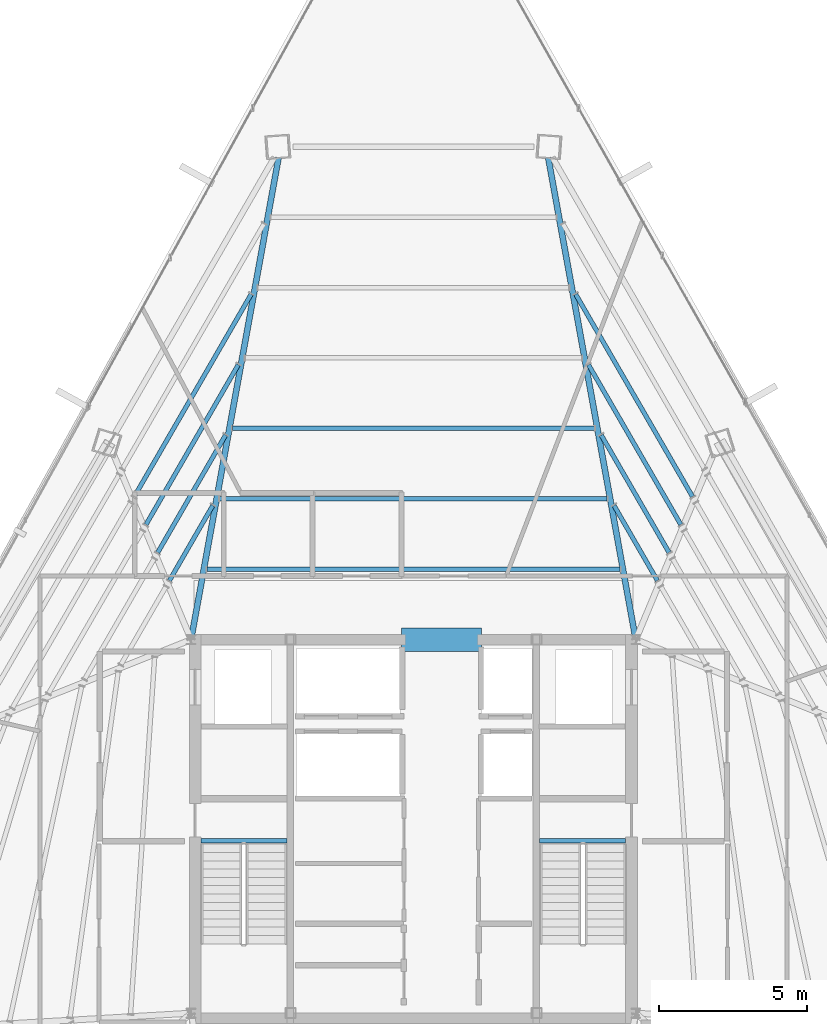
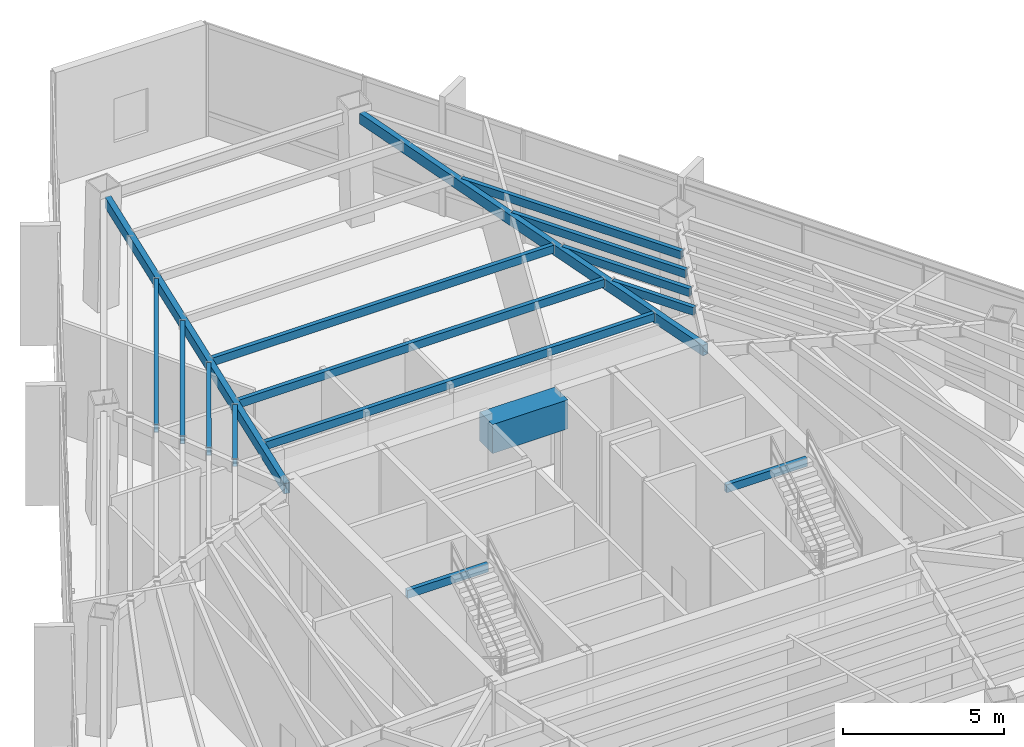
# One storey, part 16 of 37: 16 beams.
"""IFC4 building model written with IfcOpenShell, lengths in metres."""

import ifcopenshell
import ifcopenshell.guid

model = None  # the IFC model being written
_history = None  # IfcOwnerHistory: only IFC2X3 demands one
_inside = {}  # id of a spatial element -> (the spatial element, [elements in it])
_under = {}  # id of a project, library or spatial element -> (it, [spatial elements below it])
_declared = {}  # id of a project -> (the project, [libraries it declares])
_typed = {}  # id of a type object -> (the type object, [elements of that type])
_made_of = {}  # id of a material, layer set ... -> (it, [elements and type objects made of it])


def new_model(schema):
    """Start an empty IFC model of exactly this schema.

    Asked for "IFC4X3", IfcOpenShell would pick the latest addendum, in which some entities
    have other attributes; the version numbers below select the first issue.
    IFC2X3 requires an IfcOwnerHistory on every rooted entity: one is made here for all.
    """
    global model, _history
    if schema == "IFC4X3":
        model = ifcopenshell.file(schema_version=(4, 3, 0, 0))
    else:
        model = ifcopenshell.file(schema=schema)
    _inside.clear()
    _under.clear()
    _declared.clear()
    _typed.clear()
    _made_of.clear()
    _history = None
    if model.schema == "IFC2X3":
        org = make("IfcOrganization", Name="unknown")
        user = make(
            "IfcPersonAndOrganization",
            ThePerson=make("IfcPerson", FamilyName="unknown"),
            TheOrganization=org,
        )
        app = make(
            "IfcApplication",
            ApplicationDeveloper=org,
            Version="unknown",
            ApplicationFullName="unknown",
            ApplicationIdentifier="unknown",
        )
        _history = make(
            "IfcOwnerHistory",
            OwningUser=user,
            OwningApplication=app,
            ChangeAction="ADDED",
            CreationDate=0,
        )
    return model


def make(cls, **values):
    """One entity of the class cls with the attributes given. An attribute that is None is left unset."""
    return model.create_entity(
        cls, **{name: value for name, value in values.items() if value is not None}
    )


def rooted(cls, **values):
    """An entity with a GlobalId (a new one), such as an element, a storey or a relation."""
    return make(cls, GlobalId=ifcopenshell.guid.new(), OwnerHistory=_history, **values)


def si_unit(unit_type, name, prefix=None):
    """IfcSIUnit, for example si_unit("LENGTHUNIT", "METRE", prefix="MILLI")."""
    return make("IfcSIUnit", UnitType=unit_type, Prefix=prefix, Name=name)


def assignment(units):
    """IfcUnitAssignment: the units of a project."""
    return None if units is None else make("IfcUnitAssignment", Units=units)


def point(xyz):
    """IfcCartesianPoint."""
    return None if xyz is None else make("IfcCartesianPoint", Coordinates=xyz)


def direction(xyz):
    """IfcDirection."""
    return None if xyz is None else make("IfcDirection", DirectionRatios=xyz)


def frame(location, z_axis=None, x_axis=None):
    """IfcAxis2Placement3D, a coordinate frame: its origin and axes. An axis left out is left unset."""
    return make(
        "IfcAxis2Placement3D",
        Location=point(location),
        Axis=direction(z_axis),
        RefDirection=direction(x_axis),
    )


def frame_2d(location, x_axis=None):
    """IfcAxis2Placement2D, a coordinate frame in the plane: its origin and x axis."""
    return make(
        "IfcAxis2Placement2D", Location=point(location), RefDirection=direction(x_axis)
    )


def origin():
    """The frame at (0, 0, 0) with its axes left unset."""
    return frame((0.0, 0.0, 0.0))


def origin_2d():
    """The frame at (0, 0) in the plane with its x axis left unset."""
    return frame_2d((0.0, 0.0))


def place(relative_to, where):
    """IfcLocalPlacement: puts the frame where relative to a parent placement (None: the world)."""
    return make(
        "IfcLocalPlacement", PlacementRelTo=relative_to, RelativePlacement=where
    )


def context(
    kind, dimensions, precision=None, world=None, true_north=None, identifier=None
):
    """IfcGeometricRepresentationContext, for example the 3D "Model" context."""
    return make(
        "IfcGeometricRepresentationContext",
        ContextIdentifier=identifier,
        ContextType=kind,
        CoordinateSpaceDimension=dimensions,
        Precision=precision,
        WorldCoordinateSystem=world,
        TrueNorth=true_north,
    )


def subcontext(parent, identifier, kind, view, scale=None):
    """IfcGeometricRepresentationSubContext, for example "Body" below "Model"."""
    return make(
        "IfcGeometricRepresentationSubContext",
        ContextIdentifier=identifier,
        ContextType=kind,
        ParentContext=parent,
        TargetScale=scale,
        TargetView=view,
    )


def project(units=None, contexts=None):
    """IfcProject with its units and contexts."""
    return rooted(
        "IfcProject",
        Name="project",
        RepresentationContexts=contexts,
        UnitsInContext=assignment(units),
    )


def spatial(cls, under=None, at=None, **own):
    """A site, building, storey or space (cls), placed at a placement, below another one or the project."""
    s = rooted(cls, ObjectPlacement=at, **own)
    if under is not None:
        _under.setdefault(under.id(), (under, []))[1].append(s)
    return s


def profile(cls, at=None, kind="AREA", **sizes):
    """A parametric profile (cls). Its sizes go by their IFC names, for example OverallWidth=200.0."""
    return make(cls, ProfileType=kind, Position=at, **sizes)


def rectangle(**sizes):
    """IfcRectangleProfileDef."""
    return profile("IfcRectangleProfileDef", **sizes)


def hollow_rectangle(**sizes):
    """IfcRectangleHollowProfileDef."""
    return profile("IfcRectangleHollowProfileDef", **sizes)


def extrude(swept, where, along, depth):
    """IfcExtrudedAreaSolid: the profile swept, set in the frame where, extruded along a direction by depth."""
    return make(
        "IfcExtrudedAreaSolid",
        SweptArea=swept,
        Position=where,
        ExtrudedDirection=direction(along),
        Depth=depth,
    )


def shape(context_of_items, identifier, shape_type, items):
    """IfcShapeRepresentation: the items that make up one representation, for example the "Body"."""
    return make(
        "IfcShapeRepresentation",
        ContextOfItems=context_of_items,
        RepresentationIdentifier=identifier,
        RepresentationType=shape_type,
        Items=items,
    )


def source(mapping_origin, context_of_items, identifier, shape_type, items):
    """IfcRepresentationMap: a shape defined once, which mapped items show again and again."""
    return make(
        "IfcRepresentationMap",
        MappingOrigin=mapping_origin,
        MappedRepresentation=shape(context_of_items, identifier, shape_type, items),
    )


def transform(
    local_origin,
    x_axis=None,
    y_axis=None,
    z_axis=None,
    scale=None,
    scale2=None,
    scale3=None,
    uniform=True,
):
    """IfcCartesianTransformationOperator3D, or its non-uniform kind. x_axis, y_axis, z_axis: its Axis1, 2, 3."""
    if uniform:
        return make(
            "IfcCartesianTransformationOperator3D",
            Axis1=direction(x_axis),
            Axis2=direction(y_axis),
            LocalOrigin=point(local_origin),
            Scale=scale,
            Axis3=direction(z_axis),
        )
    return make(
        "IfcCartesianTransformationOperator3DnonUniform",
        Axis1=direction(x_axis),
        Axis2=direction(y_axis),
        LocalOrigin=point(local_origin),
        Scale=scale,
        Axis3=direction(z_axis),
        Scale2=scale2,
        Scale3=scale3,
    )


def mapped(mapping_source, mapping_target):
    """IfcMappedItem: shows the shape of a source again, moved by a transform."""
    return make(
        "IfcMappedItem", MappingSource=mapping_source, MappingTarget=mapping_target
    )


def material(Name=None, Category=None):
    """IfcMaterial."""
    return make("IfcMaterial", Name=Name, Category=Category)


def material_profile(
    of_material, cross_section, Name=None, Category=None, Priority=None
):
    """IfcMaterialProfile: a cross section and its material."""
    return make(
        "IfcMaterialProfile",
        Name=Name,
        Material=of_material,
        Profile=cross_section,
        Priority=Priority,
        Category=Category,
    )


def profile_set(profiles, Name=None, composite=None):
    """IfcMaterialProfileSet."""
    return make(
        "IfcMaterialProfileSet",
        Name=Name,
        MaterialProfiles=profiles,
        CompositeProfile=composite,
    )


def made_of(thing, what):
    """Note that an element or type object is made of a material, layer set ...; save() writes the relation."""
    if what is not None:
        _made_of.setdefault(what.id(), (what, []))[1].append(thing)
    return thing


def type_object(cls, material=None, **own):
    """A type object (cls), such as IfcWallType, which elements share."""
    return made_of(rooted(cls, **own), material)


def type_shapes(of_type, sources):
    """Give a type object the sources (RepresentationMaps) that its elements show as mapped items."""
    of_type.RepresentationMaps = sources


def element(
    cls,
    number,
    at=None,
    inside=None,
    cuts=None,
    type_object=None,
    material=None,
    context=None,
    identifier="Body",
    shape_type=None,
    held_by="IfcProductDefinitionShape",
    body=None,
    shapes=None,
    **own,
):
    """One element of the class cls, such as IfcWall. Its Tag is "e" and its number.

    at: its placement. inside: the storey or other place that contains it. cuts: it is an
    opening in that element (IfcRelVoidsElement). A single representation is given by context,
    identifier, shape_type and body (its items); several are given by shapes. held_by: the class
    of the entity that holds the representations. save() writes the other relations.
    """
    e = rooted(cls, Tag="e%d" % number, ObjectPlacement=at, **own)
    if body is not None:
        shapes = [shape(context, identifier, shape_type, body)]
    if shapes is not None:
        e.Representation = make(held_by, Representations=shapes)
    if inside is not None:
        _inside.setdefault(inside.id(), (inside, []))[1].append(e)
    if cuts is not None:
        rooted(
            "IfcRelVoidsElement", RelatingBuildingElement=cuts, RelatedOpeningElement=e
        )
    if type_object is not None:
        _typed.setdefault(type_object.id(), (type_object, []))[1].append(e)
    return made_of(e, material)


def aggregate(whole, parts):
    """IfcRelAggregates: a whole, such as a stair, and the parts it consists of."""
    return rooted("IfcRelAggregates", RelatingObject=whole, RelatedObjects=parts)


def save(model, path):
    """Write the relations noted so far, then the file.

    IfcRelAggregates (storeys below a building ...), IfcRelContainedInSpatialStructure (elements
    in a storey), IfcRelDefinesByType, IfcRelAssociatesMaterial and IfcRelDeclares: one each for
    every whole, place, type object, material and project.
    """
    for whole, parts in _under.values():
        aggregate(whole, parts)
    for where, things in _inside.values():
        rooted(
            "IfcRelContainedInSpatialStructure",
            RelatedElements=things,
            RelatingStructure=where,
        )
    for kind, things in _typed.values():
        rooted("IfcRelDefinesByType", RelatedObjects=things, RelatingType=kind)
    for what, things in _made_of.values():
        rooted("IfcRelAssociatesMaterial", RelatedObjects=things, RelatingMaterial=what)
    for by, libraries in _declared.values():
        rooted("IfcRelDeclares", RelatingContext=by, RelatedDefinitions=libraries)
    model.write(path)


model = new_model("IFC4")

# Units and contexts
model_context = context("Model", 3, precision=1e-05, world=origin(), true_north=direction((0.0, 1.0)))
body_context = subcontext(model_context, "Body", "Model", "MODEL_VIEW")
ifc_project = project(units=[si_unit("LENGTHUNIT", "METRE"), si_unit("AREAUNIT", "SQUARE_METRE"), si_unit("VOLUMEUNIT", "CUBIC_METRE"), si_unit("PLANEANGLEUNIT", "RADIAN"), si_unit("MASSUNIT", "GRAM", prefix="KILO")], contexts=[model_context])

# Site, building, storey
site_placement = place(None, origin())
site = spatial("IfcSite", under=ifc_project, at=site_placement, CompositionType="ELEMENT")
building_placement = place(site_placement, origin())
building = spatial("IfcBuilding", under=site, at=building_placement, Name="Caelisora Broadcast Tower", CompositionType="ELEMENT")
storey_placement = place(building_placement, frame((0.0, 0.0, 225.35009765625)))
storey = spatial("IfcBuildingStorey", under=building, at=storey_placement, Name="L59", CompositionType="ELEMENT", Elevation=225.35009765625)

# Beams
ifc_material_1 = material(Name="Steel Grade 350 (AS/NZS 1163 C350L0)", Category="steel")
ifc_material_profile_1 = material_profile(ifc_material_1, hollow_rectangle(XDim=0.14990234375, YDim=0.300048828125, WallThickness=0.010009765625, at=origin_2d()), Name="Steel Grade 350 (AS/NZS 1163 C350L0)")
ifc_profile_set_1 = profile_set([ifc_material_profile_1], Name="Steel Grade 350 (AS/NZS 1163 C350L0)")
beam_type_1 = type_object("IfcBeamType", Name="SB05", PredefinedType="JOIST", material=ifc_profile_set_1)
shared_shape_1 = source(origin(), body_context, "Body", "SweptSolid", [
    extrude(hollow_rectangle(XDim=0.14990234375, YDim=0.300048828125, WallThickness=0.010009765625, at=origin_2d()), origin(), (0.0, 0.0, 1.0), 2.89990234375),
])
for number, where, z_axis, x_axis, name in (
    (1, (30.840087890625, 23.219970703125, 4.099853515625), (1.0, 0.0, 0.0), (0.0, 1.0, 0.0), "L59 beam SB05"),
    (2, (42.260009765625, 23.219970703125, 4.099853515625), (1.0, 0.0, 0.0), (0.0, 1.0, 0.0), "L59 beam SB05"),
):
    element("IfcBeam", number, at=place(storey_placement, frame(where, z_axis=z_axis, x_axis=x_axis)), inside=storey, type_object=beam_type_1, Name=name, PredefinedType="JOIST", context=body_context, shape_type="MappedRepresentation", body=[
        mapped(shared_shape_1, transform((0.0, 0.0, 0.0), scale=1.0)),
    ])
ifc_material_2 = material(Name="Concrete 65 MPa (AS 3600 S65)", Category="concrete")
ifc_material_profile_2 = material_profile(ifc_material_2, rectangle(XDim=0.800048828125, YDim=1.10009765625, at=origin_2d()), Name="Concrete 65 MPa (AS 3600 S65)")
ifc_profile_set_2 = profile_set([ifc_material_profile_2], Name="Concrete 65 MPa (AS 3600 S65)")
beam_type_2 = type_object("IfcBeamType", Name="CB01", PredefinedType="LINTEL", material=ifc_profile_set_2)
shared_shape_2 = source(origin(), body_context, "Body", "SweptSolid", [
    extrude(rectangle(XDim=0.800048828125, YDim=1.10009765625, at=origin_2d()), origin(), (0.0, 0.0, 1.0), 2.699951171875),
])
type_shapes(beam_type_2, [shared_shape_2])
beam_1_placement = place(storey_placement, frame((37.60009765625, 30.0, 3.699951171875), z_axis=(1.0, 0.0, 0.0), x_axis=(0.0, 1.0, 0.0)))
element("IfcBeam", 3, at=beam_1_placement, inside=storey, type_object=beam_type_2, Name="L59 beam CB01", PredefinedType="LINTEL", context=body_context, shape_type="MappedRepresentation", body=[
    mapped(shared_shape_2, transform((0.0, 0.0, 0.0), scale=1.0)),
])
ifc_material_profile_3 = material_profile(ifc_material_1, hollow_rectangle(XDim=0.199951171875, YDim=0.39990234375, WallThickness=0.012451171875, at=origin_2d()), Name="Steel Grade 350 (AS/NZS 1163 C350L0)")
ifc_profile_set_3 = profile_set([ifc_material_profile_3], Name="Steel Grade 350 (AS/NZS 1163 C350L0)")
beam_type_3 = type_object("IfcBeamType", Name="PG07", PredefinedType="BEAM", material=ifc_profile_set_3)
shared_shape_3 = source(origin(), body_context, "Body", "SweptSolid", [
    extrude(hollow_rectangle(XDim=0.199951171875, YDim=0.39990234375, WallThickness=0.012451171875, at=origin_2d()), origin(), (0.0, 0.0, 1.0), 16.4638671875),
])
type_shapes(beam_type_3, [shared_shape_3])
for number, where, z_axis, x_axis, name in (
    (4, (45.4892578125, 30.05908203125, 4.0498046875), (-0.178687084487, 0.983905953757, 0.0), (-0.983905953757, -0.178687084487, 0.0), "L59 beam PG07"),
    (5, (30.5107421875, 30.05908203125, 4.0498046875), (0.178687084487, 0.983905953757, 0.0), (-0.983905953757, 0.178687084487, 0.0), "L59 beam PG07"),
):
    element("IfcBeam", number, at=place(storey_placement, frame(where, z_axis=z_axis, x_axis=x_axis)), inside=storey, type_object=beam_type_3, Name=name, PredefinedType="BEAM", context=body_context, shape_type="MappedRepresentation", body=[
        mapped(shared_shape_3, transform((0.0, 0.0, 0.0), scale=1.0)),
    ])
shared_shape_4 = source(origin(), body_context, "Body", "SweptSolid", [
    extrude(hollow_rectangle(XDim=0.14990234375, YDim=0.300048828125, WallThickness=0.010009765625, at=origin_2d()), origin(), (0.0, 0.0, 1.0), 13.93994140625),
])
beam_2_placement = place(storey_placement, frame((44.969970703125, 32.37548828125, 4.099853515625), z_axis=(-1.0, 0.0, 0.0), x_axis=(0.0, -1.0, 0.0)))
element("IfcBeam", 6, at=beam_2_placement, inside=storey, type_object=beam_type_1, Name="L59 beam SB05", PredefinedType="JOIST", context=body_context, shape_type="MappedRepresentation", body=[
    mapped(shared_shape_4, transform((0.0, 0.0, 0.0), scale=1.0)),
])
shared_shape_5 = source(origin(), body_context, "Body", "SweptSolid", [
    extrude(hollow_rectangle(XDim=0.14990234375, YDim=0.300048828125, WallThickness=0.010009765625, at=origin_2d()), origin(), (0.0, 0.0, 1.0), 13.0771484375),
])
beam_3_placement = place(storey_placement, frame((44.53857421875, 34.750732421875, 4.099853515625), z_axis=(-1.0, 0.0, 0.0), x_axis=(0.0, -1.0, 0.0)))
element("IfcBeam", 7, at=beam_3_placement, inside=storey, type_object=beam_type_1, Name="L59 beam SB05", PredefinedType="JOIST", context=body_context, shape_type="MappedRepresentation", body=[
    mapped(shared_shape_5, transform((0.0, 0.0, 0.0), scale=1.0)),
])
shared_shape_6 = source(origin(), body_context, "Body", "SweptSolid", [
    extrude(hollow_rectangle(XDim=0.14990234375, YDim=0.300048828125, WallThickness=0.010009765625, at=origin_2d()), origin(), (0.0, 0.0, 1.0), 12.21435546875),
])
beam_4_placement = place(storey_placement, frame((44.107177734375, 37.126220703125, 4.099853515625), z_axis=(-1.0, 0.0, 0.0), x_axis=(0.0, -1.0, 0.0)))
element("IfcBeam", 8, at=beam_4_placement, inside=storey, type_object=beam_type_1, Name="L59 beam SB05", PredefinedType="JOIST", context=body_context, shape_type="MappedRepresentation", body=[
    mapped(shared_shape_6, transform((0.0, 0.0, 0.0), scale=1.0)),
])
shared_shape_7 = source(origin(), body_context, "Body", "SweptSolid", [
    extrude(hollow_rectangle(XDim=0.14990234375, YDim=0.300048828125, WallThickness=0.010009765625, at=origin_2d()), origin(), (0.0, 0.0, 1.0), 2.9228515625),
])
for number, where, z_axis, x_axis, name in (
    (9, (31.232666015625, 34.525390625, 4.099853515625), (-0.500002030309, -0.866024231582, 0.0), (0.866024231582, -0.500002030309, 0.0), "L59 beam SB05"),
    (10, (46.228759765625, 31.994140625, 4.099853515625), (-0.500002030309, 0.866024231582, 0.0), (-0.866024231582, -0.500002030309, 0.0), "L59 beam SB05"),
):
    element("IfcBeam", number, at=place(storey_placement, frame(where, z_axis=z_axis, x_axis=x_axis)), inside=storey, type_object=beam_type_1, Name=name, PredefinedType="JOIST", context=body_context, shape_type="MappedRepresentation", body=[
        mapped(shared_shape_7, transform((0.0, 0.0, 0.0), scale=1.0)),
    ])
shared_shape_8 = source(origin(), body_context, "Body", "SweptSolid", [
    extrude(hollow_rectangle(XDim=0.14990234375, YDim=0.300048828125, WallThickness=0.010009765625, at=origin_2d()), origin(), (0.0, 0.0, 1.0), 4.575927734375),
])
for number, where, z_axis, x_axis, name in (
    (11, (31.6640625, 36.90087890625, 4.099853515625), (-0.499978008643, -0.866038100128, 0.0), (0.866038100128, -0.499978008643, 0.0), "L59 beam SB05"),
    (12, (46.623779296875, 32.93798828125, 4.099853515625), (-0.499978008643, 0.866038100128, 0.0), (-0.866038100128, -0.499978008643, 0.0), "L59 beam SB05"),
):
    element("IfcBeam", number, at=place(storey_placement, frame(where, z_axis=z_axis, x_axis=x_axis)), inside=storey, type_object=beam_type_1, Name=name, PredefinedType="JOIST", context=body_context, shape_type="MappedRepresentation", body=[
        mapped(shared_shape_8, transform((0.0, 0.0, 0.0), scale=1.0)),
    ])
shared_shape_9 = source(origin(), body_context, "Body", "SweptSolid", [
    extrude(hollow_rectangle(XDim=0.14990234375, YDim=0.300048828125, WallThickness=0.010009765625, at=origin_2d()), origin(), (0.0, 0.0, 1.0), 6.22900390625),
])
for number, where, z_axis, x_axis, name in (
    (13, (32.095458984375, 39.2763671875, 4.099853515625), (-0.499996133089, -0.866027636335, 0.0), (0.866027636335, -0.499996133089, 0.0), "L59 beam SB05"),
    (14, (47.01904296875, 33.8818359375, 4.099853515625), (-0.499996133089, 0.866027636335, 0.0), (-0.866027636335, -0.499996133089, 0.0), "L59 beam SB05"),
):
    element("IfcBeam", number, at=place(storey_placement, frame(where, z_axis=z_axis, x_axis=x_axis)), inside=storey, type_object=beam_type_1, Name=name, PredefinedType="JOIST", context=body_context, shape_type="MappedRepresentation", body=[
        mapped(shared_shape_9, transform((0.0, 0.0, 0.0), scale=1.0)),
    ])
shared_shape_10 = source(origin(), body_context, "Body", "SweptSolid", [
    extrude(hollow_rectangle(XDim=0.14990234375, YDim=0.300048828125, WallThickness=0.010009765625, at=origin_2d()), origin(), (0.0, 0.0, 1.0), 7.8818359375),
])
type_shapes(beam_type_1, [shared_shape_1, shared_shape_4, shared_shape_5, shared_shape_6, shared_shape_7, shared_shape_8, shared_shape_9, shared_shape_10])
for number, where, z_axis, x_axis, name in (
    (15, (32.52685546875, 41.651611328125, 4.099853515625), (-0.499996836462, -0.866027230246, 0.0), (0.866027230246, -0.499996836462, 0.0), "L59 beam SB05"),
    (16, (47.4140625, 34.82568359375, 4.099853515625), (-0.499996836462, 0.866027230246, 0.0), (-0.866027230246, -0.499996836462, 0.0), "L59 beam SB05"),
):
    element("IfcBeam", number, at=place(storey_placement, frame(where, z_axis=z_axis, x_axis=x_axis)), inside=storey, type_object=beam_type_1, Name=name, PredefinedType="JOIST", context=body_context, shape_type="MappedRepresentation", body=[
        mapped(shared_shape_10, transform((0.0, 0.0, 0.0), scale=1.0)),
    ])

save(model, "model.ifc")
